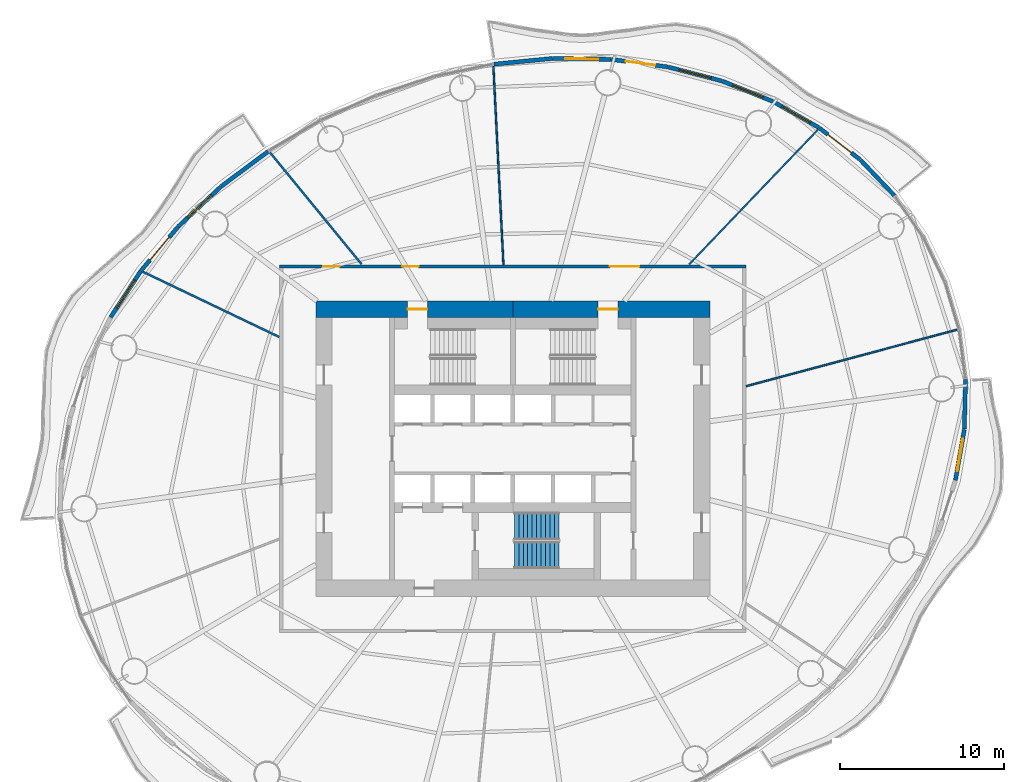
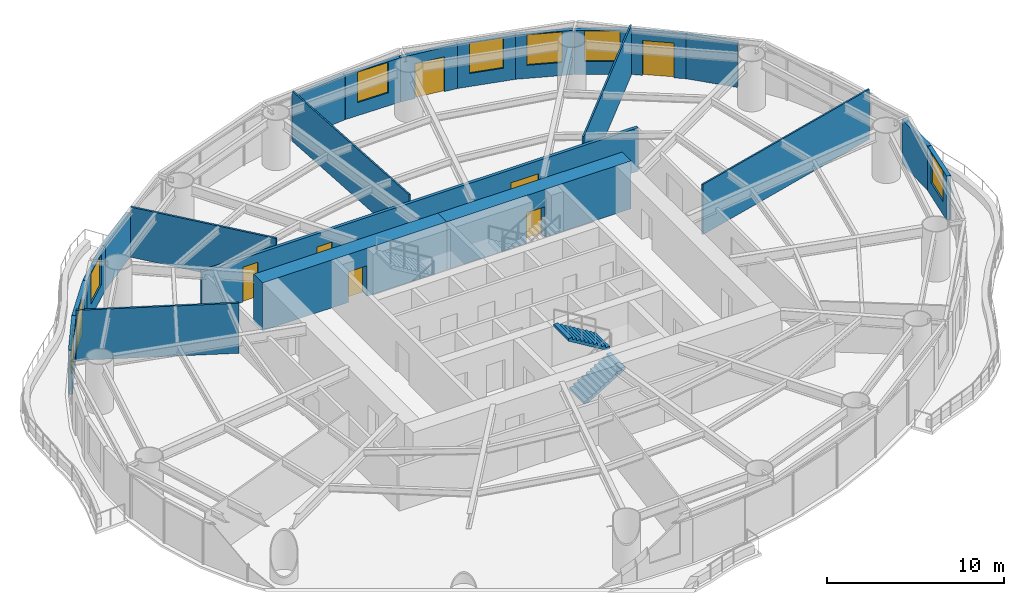
# One storey, part 10 of 14: 22 walls, 8 doors, 7 windows, 2 stair flights, 15 openings, 1 element without a shape of its own.
"""IFC4 building model written with IfcOpenShell, lengths in metres."""

from ifc_helpers import new_model, si_unit, direction, frame, frame_2d, origin, place, context, subcontext, project, spatial, polyline, rectangle, outline, extrude, material, layer, layer_set, type_object, element, fill, aggregate, save


model = new_model("IFC4")

# Units and contexts
model_context = context("Model", 3, precision=1e-05, world=origin(), true_north=direction((0.0, 1.0)))
body_context = subcontext(model_context, "Body", "Model", "MODEL_VIEW")
ifc_project = project(units=[si_unit("LENGTHUNIT", "METRE"), si_unit("AREAUNIT", "SQUARE_METRE"), si_unit("VOLUMEUNIT", "CUBIC_METRE"), si_unit("PLANEANGLEUNIT", "RADIAN"), si_unit("MASSUNIT", "GRAM", prefix="KILO")], contexts=[model_context])

# Site, building, storey
site_placement = place(None, origin())
site = spatial("IfcSite", under=ifc_project, at=site_placement, CompositionType="ELEMENT")
building_placement = place(site_placement, origin())
building = spatial("IfcBuilding", under=site, at=building_placement, Name="Vermilion Reach Broadcast Tower", CompositionType="ELEMENT")
storey_placement = place(building_placement, frame((0.0, 0.0, 117.39990234375)))
storey = spatial("IfcBuildingStorey", under=building, at=storey_placement, Name="L27", CompositionType="ELEMENT", Elevation=117.39990234375)

# Wall, opening, door
ifc_material_1 = material(Name="Concrete C70", Category="concrete")
ifc_layer_1 = layer(ifc_material_1, 1.0)
ifc_layer_set_1 = layer_set([ifc_layer_1], Name="Core outer wall 1000 mm Concrete C70")
wall_type_1 = type_object("IfcWallType", Name="Core outer wall 1000 mm Concrete C70", PredefinedType="SHEAR", material=ifc_layer_set_1)
wall_1_placement = place(storey_placement, frame((6.0, 8.5, 0.0), z_axis=(0.0, 0.0, 1.0), x_axis=(-1.0, 0.0, 0.0)))
wall_1 = element("IfcWall", 1, at=wall_1_placement, inside=storey, type_object=wall_type_1, Name="L27 core wall onE", PredefinedType="SHEAR", context=body_context, shape_type="SweptSolid", body=[
    extrude(rectangle(XDim=12.0, YDim=1.0, at=frame_2d((6.0, 0.0))), origin(), (0.0, 0.0, 1.0), 3.300048828125),
])
opening_1_placement = place(wall_1_placement, frame((5.60009765625, 0.0, 0.0)))
opening_1 = element("IfcOpeningElement", 2, at=opening_1_placement, cuts=wall_1, Name="Opening D01", PredefinedType="OPENING", context=body_context, shape_type="SweptSolid", body=[
    extrude(rectangle(XDim=1.199951171875, YDim=2.10009765625, at=frame_2d((0.60009765625, 1.050048828125))), frame((0.0, 0.510009765625, 0.0), z_axis=(0.0, -1.0, 0.0), x_axis=(1.0, 0.0, 0.0)), (0.0, 0.0, 1.0), 1.02001953125),
])
ifc_material_2 = material(Name="Painted steel fire door", Category="steel")
door_type_1 = type_object("IfcDoorType", Name="Stair door 1200 x 2100", OperationType="DOUBLE_DOOR_SINGLE_SWING", PredefinedType="NOTDEFINED", material=ifc_material_2)
door_1_placement = place(opening_1_placement, origin())
door_1 = element("IfcDoor", 3, at=door_1_placement, inside=storey, type_object=door_type_1, Name="L27 stair door ST2", OperationType="DOUBLE_DOOR_SINGLE_SWING", OverallHeight=2.10009765625, OverallWidth=1.199951171875, PredefinedType="NOTDEFINED", context=body_context, shape_type="SweptSolid", body=[
    extrude(rectangle(XDim=1.199951171875, YDim=2.10009765625, at=frame_2d((0.60009765625, 1.050048828125))), frame((0.0, 0.02490234375, 0.0), z_axis=(0.0, -1.0, 0.0), x_axis=(1.0, 0.0, 0.0)), (0.0, 0.0, 1.0), 0.050048828125),
])
fill(opening_1, door_1)

wall_2_placement = place(storey_placement, frame((-6.0, 8.5, 0.0), z_axis=(0.0, 0.0, 1.0), x_axis=(-1.0, 0.0, 0.0)))
wall_2 = element("IfcWall", 4, at=wall_2_placement, inside=storey, type_object=wall_type_1, Name="L27 core wall onW", PredefinedType="SHEAR", context=body_context, shape_type="SweptSolid", body=[
    extrude(rectangle(XDim=12.0, YDim=1.0, at=frame_2d((6.0, 0.0))), origin(), (0.0, 0.0, 1.0), 3.300048828125),
])
opening_2_placement = place(wall_2_placement, frame((5.199951171875, 0.0, 0.0)))
opening_2 = element("IfcOpeningElement", 5, at=opening_2_placement, cuts=wall_2, Name="Opening D01", PredefinedType="OPENING", context=body_context, shape_type="SweptSolid", body=[
    extrude(rectangle(XDim=1.199951171875, YDim=2.10009765625, at=frame_2d((0.60009765625, 1.050048828125))), frame((0.0, 0.510009765625, 0.0), z_axis=(0.0, -1.0, 0.0), x_axis=(1.0, 0.0, 0.0)), (0.0, 0.0, 1.0), 1.02001953125),
])
door_2_placement = place(opening_2_placement, origin())
door_2 = element("IfcDoor", 6, at=door_2_placement, inside=storey, type_object=door_type_1, Name="L27 stair door ST1", OperationType="DOUBLE_DOOR_SINGLE_SWING", OverallHeight=2.10009765625, OverallWidth=1.199951171875, PredefinedType="NOTDEFINED", context=body_context, shape_type="SweptSolid", body=[
    extrude(rectangle(XDim=1.199951171875, YDim=2.10009765625, at=frame_2d((0.60009765625, 1.050048828125))), frame((0.0, 0.02490234375, 0.0), z_axis=(0.0, -1.0, 0.0), x_axis=(1.0, 0.0, 0.0)), (0.0, 0.0, 1.0), 0.050048828125),
])
fill(opening_2, door_2)

# Walls
ifc_material_3 = material(Name="Plasterboard on steel stud", Category="steel")
ifc_layer_2 = layer(ifc_material_3, 0.10009765625)
ifc_layer_set_2 = layer_set([ifc_layer_2], Name="Partition 100 steel stud")
wall_type_2 = type_object("IfcWallType", Name="Partition 100 steel stud", PredefinedType="PARTITIONING", material=ifc_layer_set_2)
wall_3_placement = place(storey_placement, frame((12.59033203125, 19.443115234375, 0.0), z_axis=(0.0, 0.0, 1.0), x_axis=(-0.691074739184, -0.722783304222, 0.0)))
element("IfcWall", 7, at=wall_3_placement, inside=storey, type_object=wall_type_2, Name="Partition 27.01", PredefinedType="PARTITIONING", context=body_context, shape_type="SweptSolid", body=[
    extrude(rectangle(XDim=11.356689453125, YDim=0.10009765625, at=frame_2d((5.67822265625, 0.0))), origin(), (0.0, 0.0, 1.0), 3.4501953125),
])
wall_4_placement = place(storey_placement, frame((-7.18359375, 23.29345703125, 0.0), z_axis=(0.0, 0.0, 1.0), x_axis=(0.050758329283, -0.998710965199, 0.0)))
element("IfcWall", 8, at=wall_4_placement, inside=storey, type_object=wall_type_2, Name="Partition 27.02", PredefinedType="PARTITIONING", context=body_context, shape_type="SweptSolid", body=[
    extrude(rectangle(XDim=12.1064453125, YDim=0.10009765625, at=frame_2d((6.05322265625, 0.0))), origin(), (0.0, 0.0, 1.0), 3.4501953125),
])
wall_5_placement = place(storey_placement, frame((21.055419921875, 7.25341796875, 0.0), z_axis=(0.0, 0.0, 1.0), x_axis=(-0.965888777638, -0.258957272989, 0.0)))
element("IfcWall", 9, at=wall_5_placement, inside=storey, type_object=wall_type_2, Name="Partition 27.08", PredefinedType="PARTITIONING", context=body_context, shape_type="SweptSolid", body=[
    extrude(rectangle(XDim=13.296142578125, YDim=0.10009765625, at=frame_2d((6.64794921875, 0.0))), origin(), (0.0, 0.0, 1.0), 3.4501953125),
])
ifc_material_4 = material(Name="Fire-rated plasterboard on steel stud", Category="steel")
ifc_layer_3 = layer(ifc_material_4, 0.125)
ifc_layer_set_3 = layer_set([ifc_layer_3], Name="Partition 125 fire-rated stud")
wall_type_3 = type_object("IfcWallType", Name="Partition 125 fire-rated stud", PredefinedType="PARTITIONING", material=ifc_layer_set_3)
wall_6_placement = place(storey_placement, frame((-20.782470703125, 18.04052734375, 0.0), z_axis=(0.0, 0.0, 1.0), x_axis=(0.633801615076, -0.773495644931, 0.0)))
element("IfcWall", 10, at=wall_6_placement, inside=storey, type_object=wall_type_3, Name="Partition 27.03", PredefinedType="PARTITIONING", context=body_context, shape_type="SweptSolid", body=[
    extrude(rectangle(XDim=8.79248046875, YDim=0.125, at=frame_2d((4.396240234375, 0.0))), origin(), (0.0, 0.0, 1.0), 3.4501953125),
])
wall_7_placement = place(storey_placement, frame((-28.53173828125, 10.78369140625, 0.0), z_axis=(0.0, 0.0, 1.0), x_axis=(0.902015716064, -0.431703194306, 0.0)))
element("IfcWall", 11, at=wall_7_placement, inside=storey, type_object=wall_type_3, Name="Partition 27.04", PredefinedType="PARTITIONING", context=body_context, shape_type="SweptSolid", body=[
    extrude(rectangle(XDim=9.206787109375, YDim=0.125, at=frame_2d((4.603515625, 0.0))), origin(), (0.0, 0.0, 1.0), 3.4501953125),
])
ifc_material_5 = material(Name="Terracotta rainscreen cladding", Category="masonry")
ifc_layer_4 = layer(ifc_material_5, 0.25)
ifc_layer_set_4 = layer_set([ifc_layer_4], Name="Terracotta rainscreen wall 250")
wall_type_4 = type_object("IfcWallType", Name="Terracotta rainscreen wall 250", PredefinedType="SOLIDWALL", material=ifc_layer_set_4)
wall_8_placement = place(storey_placement, frame((17.243896484375, 15.416015625, 0.0), z_axis=(0.0, 0.0, 1.0), x_axis=(-0.689879279413, 0.723924429645, 0.0)))
element("IfcWall", 12, at=wall_8_placement, inside=storey, type_object=wall_type_4, Name="External wall L27 02", PredefinedType="SOLIDWALL", context=body_context, shape_type="SweptSolid", body=[
    extrude(rectangle(XDim=3.01904296875, YDim=0.25, at=frame_2d((1.509521484375, 0.0))), origin(), (0.0, 0.0, 1.0), 3.050048828125),
])

# Wall, opening, door
wall_9_placement = place(storey_placement, frame((15.141357421875, 17.619384765625, 0.0), z_axis=(0.0, 0.0, 1.0), x_axis=(-0.789746930571, 0.613432788213, 0.0)))
wall_9 = element("IfcWall", 13, at=wall_9_placement, inside=storey, type_object=wall_type_4, Name="External wall L27 03", PredefinedType="SOLIDWALL", context=body_context, shape_type="SweptSolid", body=[
    extrude(rectangle(XDim=3.12939453125, YDim=0.25, at=frame_2d((1.564697265625, 0.0))), origin(), (0.0, 0.0, 1.0), 3.050048828125),
])
opening_3_placement = place(wall_9_placement, frame((0.6650390625, 0.0, 0.0)))
opening_3 = element("IfcOpeningElement", 14, at=opening_3_placement, cuts=wall_9, Name="Opening D70", PredefinedType="OPENING", context=body_context, shape_type="SweptSolid", body=[
    extrude(rectangle(XDim=1.800048828125, YDim=2.39990234375, at=frame_2d((0.89990234375, 1.199951171875))), frame((0.0, 0.135009765625, 0.0), z_axis=(0.0, -1.0, 0.0), x_axis=(1.0, 0.0, 0.0)), (0.0, 0.0, 1.0), 0.27001953125),
])
ifc_material_6 = material(Name="Low-e laminated clear glass in aluminium frame", Category="aluminium")
door_type_2 = type_object("IfcDoorType", Name="Balcony sliding door 1800 x 2400", OperationType="DOUBLE_DOOR_SLIDING", PredefinedType="DOOR", material=ifc_material_6)
door_3_placement = place(opening_3_placement, origin())
door_3 = element("IfcDoor", 15, at=door_3_placement, inside=storey, type_object=door_type_2, Name="Balcony door L27 run 01", OperationType="DOUBLE_DOOR_SLIDING", OverallHeight=2.39990234375, OverallWidth=1.800048828125, PredefinedType="DOOR", context=body_context, shape_type="SweptSolid", body=[
    extrude(rectangle(XDim=1.800048828125, YDim=2.39990234375, at=frame_2d((0.89990234375, 1.199951171875))), frame((0.0, 0.02490234375, 0.0), z_axis=(0.0, -1.0, 0.0), x_axis=(1.0, 0.0, 0.0)), (0.0, 0.0, 1.0), 0.050048828125),
])
fill(opening_3, door_3)

# Wall, opening, window
wall_10_placement = place(storey_placement, frame((12.6484375, 19.553466796875, 0.0), z_axis=(0.0, 0.0, 1.0), x_axis=(-0.868747839234, 0.495254673705, 0.0)))
wall_10 = element("IfcWall", 16, at=wall_10_placement, inside=storey, type_object=wall_type_4, Name="External wall L27 04", PredefinedType="SOLIDWALL", context=body_context, shape_type="SweptSolid", body=[
    extrude(rectangle(XDim=3.212158203125, YDim=0.25, at=frame_2d((1.60595703125, 0.0))), origin(), (0.0, 0.0, 1.0), 3.050048828125),
])
opening_4_placement = place(wall_10_placement, frame((0.606201171875, 0.0, 0.89990234375)))
opening_4 = element("IfcOpeningElement", 17, at=opening_4_placement, cuts=wall_10, Name="Opening W03", PredefinedType="OPENING", context=body_context, shape_type="SweptSolid", body=[
    extrude(rectangle(XDim=2.0, YDim=2.10009765625, at=frame_2d((1.0, 1.050048828125))), frame((0.0, 0.135009765625, 0.0), z_axis=(0.0, -1.0, 0.0), x_axis=(1.0, 0.0, 0.0)), (0.0, 0.0, 1.0), 0.27001953125),
])
ifc_material_7 = material(Name="Low-e laminated clear glass in aluminium frame", Category="aluminium")
window_type = type_object("IfcWindowType", Name="Punched window 2000 x 2100 sill 900", PartitioningType="SINGLE_PANEL", PredefinedType="WINDOW", material=ifc_material_7)
window_1_placement = place(opening_4_placement, origin())
window_1 = element("IfcWindow", 18, at=window_1_placement, inside=storey, type_object=window_type, Name="Window L27 04", OverallHeight=2.10009765625, OverallWidth=2.0, PartitioningType="SINGLE_PANEL", PredefinedType="WINDOW", context=body_context, shape_type="SweptSolid", body=[
    extrude(rectangle(XDim=2.0, YDim=2.10009765625, at=frame_2d((1.0, 1.050048828125))), frame((0.0, 0.030029296875, 0.0), z_axis=(0.0, -1.0, 0.0), x_axis=(1.0, 0.0, 0.0)), (0.0, 0.0, 1.0), 0.06005859375),
])
fill(opening_4, window_1)

wall_11_placement = place(storey_placement, frame((9.83544921875, 21.155029296875, 0.0), z_axis=(0.0, 0.0, 1.0), x_axis=(-0.927581627116, 0.373620562919, 0.0)))
wall_11 = element("IfcWall", 19, at=wall_11_placement, inside=storey, type_object=wall_type_4, Name="External wall L27 05", PredefinedType="SOLIDWALL", context=body_context, shape_type="SweptSolid", body=[
    extrude(rectangle(XDim=3.3017578125, YDim=0.25, at=frame_2d((1.65087890625, 0.0))), origin(), (0.0, 0.0, 1.0), 3.050048828125),
])
opening_5_placement = place(wall_11_placement, frame((0.65087890625, 0.0, 0.89990234375)))
opening_5 = element("IfcOpeningElement", 20, at=opening_5_placement, cuts=wall_11, Name="Opening W03", PredefinedType="OPENING", context=body_context, shape_type="SweptSolid", body=[
    extrude(rectangle(XDim=2.0, YDim=2.10009765625, at=frame_2d((1.0, 1.050048828125))), frame((0.0, 0.135009765625, 0.0), z_axis=(0.0, -1.0, 0.0), x_axis=(1.0, 0.0, 0.0)), (0.0, 0.0, 1.0), 0.27001953125),
])
window_2_placement = place(opening_5_placement, origin())
window_2 = element("IfcWindow", 21, at=window_2_placement, inside=storey, type_object=window_type, Name="Window L27 05", OverallHeight=2.10009765625, OverallWidth=2.0, PartitioningType="SINGLE_PANEL", PredefinedType="WINDOW", context=body_context, shape_type="SweptSolid", body=[
    extrude(rectangle(XDim=2.0, YDim=2.10009765625, at=frame_2d((1.0, 1.050048828125))), frame((0.0, 0.030029296875, 0.0), z_axis=(0.0, -1.0, 0.0), x_axis=(1.0, 0.0, 0.0)), (0.0, 0.0, 1.0), 0.06005859375),
])
fill(opening_5, window_2)

wall_12_placement = place(storey_placement, frame((6.75, 22.396240234375, 0.0), z_axis=(0.0, 0.0, 1.0), x_axis=(-0.967791300319, 0.251753846101, 0.0)))
wall_12 = element("IfcWall", 22, at=wall_12_placement, inside=storey, type_object=wall_type_4, Name="External wall L27 06", PredefinedType="SOLIDWALL", context=body_context, shape_type="SweptSolid", body=[
    extrude(rectangle(XDim=3.392333984375, YDim=0.25, at=frame_2d((1.6962890625, 0.0))), origin(), (0.0, 0.0, 1.0), 3.050048828125),
])
opening_6_placement = place(wall_12_placement, frame((0.696044921875, 0.0, 0.89990234375)))
opening_6 = element("IfcOpeningElement", 23, at=opening_6_placement, cuts=wall_12, Name="Opening W03", PredefinedType="OPENING", context=body_context, shape_type="SweptSolid", body=[
    extrude(rectangle(XDim=2.0, YDim=2.10009765625, at=frame_2d((1.0, 1.050048828125))), frame((0.0, 0.135009765625, 0.0), z_axis=(0.0, -1.0, 0.0), x_axis=(1.0, 0.0, 0.0)), (0.0, 0.0, 1.0), 0.27001953125),
])
window_3_placement = place(opening_6_placement, origin())
window_3 = element("IfcWindow", 24, at=window_3_placement, inside=storey, type_object=window_type, Name="Window L27 06", OverallHeight=2.10009765625, OverallWidth=2.0, PartitioningType="SINGLE_PANEL", PredefinedType="WINDOW", context=body_context, shape_type="SweptSolid", body=[
    extrude(rectangle(XDim=2.0, YDim=2.10009765625, at=frame_2d((1.0, 1.050048828125))), frame((0.0, 0.030029296875, 0.0), z_axis=(0.0, -1.0, 0.0), x_axis=(1.0, 0.0, 0.0)), (0.0, 0.0, 1.0), 0.06005859375),
])
fill(opening_6, window_3)

# Wall, opening, door
wall_13_placement = place(storey_placement, frame((3.4443359375, 23.254638671875, 0.0), z_axis=(0.0, 0.0, 1.0), x_axis=(-0.991259146592, 0.131929163936, 0.0)))
wall_13 = element("IfcWall", 25, at=wall_13_placement, inside=storey, type_object=wall_type_4, Name="External wall L27 07", PredefinedType="SOLIDWALL", context=body_context, shape_type="SweptSolid", body=[
    extrude(rectangle(XDim=3.47705078125, YDim=0.25, at=frame_2d((1.738525390625, 0.0))), origin(), (0.0, 0.0, 1.0), 3.050048828125),
])
opening_7_placement = place(wall_13_placement, frame((0.7890625, 0.0, 0.0)))
opening_7 = element("IfcOpeningElement", 26, at=opening_7_placement, cuts=wall_13, Name="Opening D70", PredefinedType="OPENING", context=body_context, shape_type="SweptSolid", body=[
    extrude(rectangle(XDim=1.800048828125, YDim=2.39990234375, at=frame_2d((0.89990234375, 1.199951171875))), frame((0.0, 0.135009765625, 0.0), z_axis=(0.0, -1.0, 0.0), x_axis=(1.0, 0.0, 0.0)), (0.0, 0.0, 1.0), 0.27001953125),
])
door_4_placement = place(opening_7_placement, origin())
door_4 = element("IfcDoor", 27, at=door_4_placement, inside=storey, type_object=door_type_2, Name="Balcony door L27 run 02", OperationType="DOUBLE_DOOR_SLIDING", OverallHeight=2.39990234375, OverallWidth=1.800048828125, PredefinedType="DOOR", context=body_context, shape_type="SweptSolid", body=[
    extrude(rectangle(XDim=1.800048828125, YDim=2.39990234375, at=frame_2d((0.89990234375, 1.199951171875))), frame((0.0, 0.02490234375, 0.0), z_axis=(0.0, -1.0, 0.0), x_axis=(1.0, 0.0, 0.0)), (0.0, 0.0, 1.0), 0.050048828125),
])
fill(opening_7, door_4)

# Wall, opening, window
wall_14_placement = place(storey_placement, frame((-0.02490234375, 23.715087890625, 0.0), z_axis=(0.0, 0.0, 1.0), x_axis=(-0.999881433679, 0.015398655287, 0.0)))
wall_14 = element("IfcWall", 28, at=wall_14_placement, inside=storey, type_object=wall_type_4, Name="External wall L27 08", PredefinedType="SOLIDWALL", context=body_context, shape_type="SweptSolid", body=[
    extrude(rectangle(XDim=3.551513671875, YDim=0.25, at=frame_2d((1.77587890625, 0.0))), origin(), (0.0, 0.0, 1.0), 3.050048828125),
])
opening_8_placement = place(wall_14_placement, frame((0.775634765625, 0.0, 0.89990234375)))
opening_8 = element("IfcOpeningElement", 29, at=opening_8_placement, cuts=wall_14, Name="Opening W03", PredefinedType="OPENING", context=body_context, shape_type="SweptSolid", body=[
    extrude(rectangle(XDim=2.0, YDim=2.10009765625, at=frame_2d((1.0, 1.050048828125))), frame((0.0, 0.135009765625, 0.0), z_axis=(0.0, -1.0, 0.0), x_axis=(1.0, 0.0, 0.0)), (0.0, 0.0, 1.0), 0.27001953125),
])
window_4_placement = place(opening_8_placement, origin())
window_4 = element("IfcWindow", 30, at=window_4_placement, inside=storey, type_object=window_type, Name="Window L27 08", OverallHeight=2.10009765625, OverallWidth=2.0, PartitioningType="SINGLE_PANEL", PredefinedType="WINDOW", context=body_context, shape_type="SweptSolid", body=[
    extrude(rectangle(XDim=2.0, YDim=2.10009765625, at=frame_2d((1.0, 1.050048828125))), frame((0.0, 0.030029296875, 0.0), z_axis=(0.0, -1.0, 0.0), x_axis=(1.0, 0.0, 0.0)), (0.0, 0.0, 1.0), 0.06005859375),
])
fill(opening_8, window_4)

# Walls
for number, where, z_axis, x_axis, name in (
    (31, (-3.597900390625, 23.768798828125, 0.0), (0.0, 0.0, 1.0), (-0.995271567876, -0.097131386163, 0.0), "External wall L27 09"),
    (32, (-20.895751953125, 18.112060546875, 0.0), (0.0, 0.0, 1.0), (-0.802114267062, -0.597170580803, 0.0), "External wall L27 14"),
):
    element("IfcWall", number, at=place(storey_placement, frame(where, z_axis=z_axis, x_axis=x_axis)), inside=storey, type_object=wall_type_4, Name=name, PredefinedType="SOLIDWALL", context=body_context, shape_type="SweptSolid", body=[
        extrude(rectangle(XDim=3.566650390625, YDim=0.25, at=frame_2d((1.783203125, 0.0))), origin(), (0.0, 0.0, 1.0), 3.050048828125),
    ])

# Wall, opening, window
wall_15_placement = place(storey_placement, frame((-23.773681640625, 15.968017578125, 0.0), z_axis=(0.0, 0.0, 1.0), x_axis=(-0.729895135737, -0.683559134843, 0.0)))
wall_15 = element("IfcWall", 33, at=wall_15_placement, inside=storey, type_object=wall_type_4, Name="External wall L27 15", PredefinedType="SOLIDWALL", context=body_context, shape_type="SweptSolid", body=[
    extrude(rectangle(XDim=3.55126953125, YDim=0.25, at=frame_2d((1.775634765625, 0.0))), origin(), (0.0, 0.0, 1.0), 3.050048828125),
])
opening_9_placement = place(wall_15_placement, frame((0.775634765625, 0.0, 0.89990234375)))
opening_9 = element("IfcOpeningElement", 34, at=opening_9_placement, cuts=wall_15, Name="Opening W03", PredefinedType="OPENING", context=body_context, shape_type="SweptSolid", body=[
    extrude(rectangle(XDim=2.0, YDim=2.10009765625, at=frame_2d((1.0, 1.050048828125))), frame((0.0, 0.135009765625, 0.0), z_axis=(0.0, -1.0, 0.0), x_axis=(1.0, 0.0, 0.0)), (0.0, 0.0, 1.0), 0.27001953125),
])
window_5_placement = place(opening_9_placement, origin())
window_5 = element("IfcWindow", 35, at=window_5_placement, inside=storey, type_object=window_type, Name="Window L27 15", OverallHeight=2.10009765625, OverallWidth=2.0, PartitioningType="SINGLE_PANEL", PredefinedType="WINDOW", context=body_context, shape_type="SweptSolid", body=[
    extrude(rectangle(XDim=2.0, YDim=2.10009765625, at=frame_2d((1.0, 1.050048828125))), frame((0.0, 0.030029296875, 0.0), z_axis=(0.0, -1.0, 0.0), x_axis=(1.0, 0.0, 0.0)), (0.0, 0.0, 1.0), 0.06005859375),
])
fill(opening_9, window_5)

# Wall, opening, door
wall_16_placement = place(storey_placement, frame((-26.38134765625, 13.52392578125, 0.0), z_axis=(0.0, 0.0, 1.0), x_axis=(-0.645164421971, -0.764043760934, 0.0)))
wall_16 = element("IfcWall", 36, at=wall_16_placement, inside=storey, type_object=wall_type_4, Name="External wall L27 16", PredefinedType="SOLIDWALL", context=body_context, shape_type="SweptSolid", body=[
    extrude(rectangle(XDim=3.476806640625, YDim=0.25, at=frame_2d((1.73828125, 0.0))), origin(), (0.0, 0.0, 1.0), 3.050048828125),
])
opening_10_placement = place(wall_16_placement, frame((0.839111328125, 0.0, 0.0)))
opening_10 = element("IfcOpeningElement", 37, at=opening_10_placement, cuts=wall_16, Name="Opening D70", PredefinedType="OPENING", context=body_context, shape_type="SweptSolid", body=[
    extrude(rectangle(XDim=1.800048828125, YDim=2.39990234375, at=frame_2d((0.89990234375, 1.199951171875))), frame((0.0, 0.135009765625, 0.0), z_axis=(0.0, -1.0, 0.0), x_axis=(1.0, 0.0, 0.0)), (0.0, 0.0, 1.0), 0.27001953125),
])
door_5_placement = place(opening_10_placement, origin())
door_5 = element("IfcDoor", 38, at=door_5_placement, inside=storey, type_object=door_type_2, Name="Balcony door L27 run 04", OperationType="DOUBLE_DOOR_SLIDING", OverallHeight=2.39990234375, OverallWidth=1.800048828125, PredefinedType="DOOR", context=body_context, shape_type="SweptSolid", body=[
    extrude(rectangle(XDim=1.800048828125, YDim=2.39990234375, at=frame_2d((0.89990234375, 1.199951171875))), frame((0.0, 0.02490234375, 0.0), z_axis=(0.0, -1.0, 0.0), x_axis=(1.0, 0.0, 0.0)), (0.0, 0.0, 1.0), 0.050048828125),
])
fill(opening_10, door_5)

# Wall, opening, window
wall_17_placement = place(storey_placement, frame((-28.638427734375, 10.848876953125, 0.0), z_axis=(0.0, 0.0, 1.0), x_axis=(-0.547270693195, -0.836955666908, 0.0)))
wall_17 = element("IfcWall", 39, at=wall_17_placement, inside=storey, type_object=wall_type_4, Name="External wall L27 17", PredefinedType="SOLIDWALL", context=body_context, shape_type="SweptSolid", body=[
    extrude(rectangle(XDim=3.39208984375, YDim=0.25, at=frame_2d((1.696044921875, 0.0))), origin(), (0.0, 0.0, 1.0), 3.050048828125),
])
opening_11_placement = place(wall_17_placement, frame((0.696044921875, 0.0, 0.89990234375)))
opening_11 = element("IfcOpeningElement", 40, at=opening_11_placement, cuts=wall_17, Name="Opening W03", PredefinedType="OPENING", context=body_context, shape_type="SweptSolid", body=[
    extrude(rectangle(XDim=2.0, YDim=2.10009765625, at=frame_2d((1.0, 1.050048828125))), frame((0.0, 0.135009765625, 0.0), z_axis=(0.0, -1.0, 0.0), x_axis=(1.0, 0.0, 0.0)), (0.0, 0.0, 1.0), 0.27001953125),
])
window_6_placement = place(opening_11_placement, origin())
window_6 = element("IfcWindow", 41, at=window_6_placement, inside=storey, type_object=window_type, Name="Window L27 17", OverallHeight=2.10009765625, OverallWidth=2.0, PartitioningType="SINGLE_PANEL", PredefinedType="WINDOW", context=body_context, shape_type="SweptSolid", body=[
    extrude(rectangle(XDim=2.0, YDim=2.10009765625, at=frame_2d((1.0, 1.050048828125))), frame((0.0, 0.030029296875, 0.0), z_axis=(0.0, -1.0, 0.0), x_axis=(1.0, 0.0, 0.0)), (0.0, 0.0, 1.0), 0.06005859375),
])
fill(opening_11, window_6)

wall_18_placement = place(storey_placement, frame((20.95703125, -1.914794921875, 0.0), z_axis=(0.0, 0.0, 1.0), x_axis=(0.172262996508, 0.985050993621, 0.0)))
wall_18 = element("IfcWall", 42, at=wall_18_placement, inside=storey, type_object=wall_type_4, Name="External wall L27 44", PredefinedType="SOLIDWALL", context=body_context, shape_type="SweptSolid", body=[
    extrude(rectangle(XDim=3.12939453125, YDim=0.25, at=frame_2d((1.564697265625, 0.0))), origin(), (0.0, 0.0, 1.0), 3.050048828125),
])
opening_12_placement = place(wall_18_placement, frame((0.564697265625, 0.0, 0.89990234375)))
opening_12 = element("IfcOpeningElement", 43, at=opening_12_placement, cuts=wall_18, Name="Opening W03", PredefinedType="OPENING", context=body_context, shape_type="SweptSolid", body=[
    extrude(rectangle(XDim=2.0, YDim=2.10009765625, at=frame_2d((1.0, 1.050048828125))), frame((0.0, 0.135009765625, 0.0), z_axis=(0.0, -1.0, 0.0), x_axis=(1.0, 0.0, 0.0)), (0.0, 0.0, 1.0), 0.27001953125),
])
window_7_placement = place(opening_12_placement, origin())
window_7 = element("IfcWindow", 44, at=window_7_placement, inside=storey, type_object=window_type, Name="Window L27 44", OverallHeight=2.10009765625, OverallWidth=2.0, PartitioningType="SINGLE_PANEL", PredefinedType="WINDOW", context=body_context, shape_type="SweptSolid", body=[
    extrude(rectangle(XDim=2.0, YDim=2.10009765625, at=frame_2d((1.0, 1.050048828125))), frame((0.0, 0.030029296875, 0.0), z_axis=(0.0, -1.0, 0.0), x_axis=(1.0, 0.0, 0.0)), (0.0, 0.0, 1.0), 0.06005859375),
])
fill(opening_12, window_7)

# Wall
wall_19_placement = place(storey_placement, frame((21.498779296875, 1.1943359375, 0.0), z_axis=(0.0, 0.0, 1.0), x_axis=(0.024099130641, 0.999709573777, 0.0)))
element("IfcWall", 45, at=wall_19_placement, inside=storey, type_object=wall_type_4, Name="External wall L27 45", PredefinedType="SOLIDWALL", context=body_context, shape_type="SweptSolid", body=[
    extrude(rectangle(XDim=3.01904296875, YDim=0.25, at=frame_2d((1.509521484375, 0.0))), origin(), (0.0, 0.0, 1.0), 3.050048828125),
])

# Wall, openings, doors
ifc_material_8 = material(Name="Fire-rated gypsum board partition")
ifc_layer_5 = layer(ifc_material_8, 0.199951171875)
ifc_layer_set_5 = layer_set([ifc_layer_5], Name="Under girder: Corridor wall 200 fire-rated")
wall_type_5 = type_object("IfcWallType", Name="Under girder: Corridor wall 200 fire-rated", PredefinedType="PARTITIONING", material=ifc_layer_set_5)
wall_20_placement = place(storey_placement, frame((-20.199951171875, 11.10009765625, 0.0), z_axis=(0.0, 0.0, 1.0), x_axis=(1.0, 0.0, 0.0)))
wall_20 = element("IfcWall", 46, at=wall_20_placement, inside=storey, type_object=wall_type_5, Name="Corridor wall 27.N", PredefinedType="PARTITIONING", context=body_context, shape_type="SweptSolid", body=[
    extrude(rectangle(XDim=28.39990234375, YDim=0.199951171875, at=frame_2d((14.199951171875, 0.0))), origin(), (0.0, 0.0, 1.0), 3.0),
])
opening_13_placement = place(wall_20_placement, frame((20.10546875, 0.0, 0.0)))
opening_13 = element("IfcOpeningElement", 47, at=opening_13_placement, cuts=wall_20, Name="Opening D21", PredefinedType="OPENING", context=body_context, shape_type="SweptSolid", body=[
    extrude(rectangle(XDim=1.800048828125, YDim=2.10009765625, at=frame_2d((0.89990234375, 1.050048828125))), frame((0.0, 0.10986328125, 0.0), z_axis=(0.0, -1.0, 0.0), x_axis=(1.0, 0.0, 0.0)), (0.0, 0.0, 1.0), 0.219970703125),
])
opening_14_placement = place(wall_20_placement, frame((7.47021484375, 0.0, 0.0)))
opening_14 = element("IfcOpeningElement", 48, at=opening_14_placement, cuts=wall_20, Name="Opening D20", PredefinedType="OPENING", context=body_context, shape_type="SweptSolid", body=[
    extrude(rectangle(XDim=1.0, YDim=2.10009765625, at=frame_2d((0.5, 1.050048828125))), frame((0.0, 0.10986328125, 0.0), z_axis=(0.0, -1.0, 0.0), x_axis=(1.0, 0.0, 0.0)), (0.0, 0.0, 1.0), 0.219970703125),
])
opening_15_placement = place(wall_20_placement, frame((2.65087890625, 0.0, 0.0)))
opening_15 = element("IfcOpeningElement", 49, at=opening_15_placement, cuts=wall_20, Name="Opening D23", PredefinedType="OPENING", context=body_context, shape_type="SweptSolid", body=[
    extrude(rectangle(XDim=1.0, YDim=2.39990234375, at=frame_2d((0.5, 1.199951171875))), frame((0.0, 0.10986328125, 0.0), z_axis=(0.0, -1.0, 0.0), x_axis=(1.0, 0.0, 0.0)), (0.0, 0.0, 1.0), 0.219970703125),
])
ifc_material_9 = material(Name="Timber door leaf", Category="wood")
door_type_3 = type_object("IfcDoorType", Name="Door pair 1800x2100", OperationType="NOTDEFINED", PredefinedType="DOOR", material=ifc_material_9)
door_6_placement = place(opening_13_placement, origin())
door_6 = element("IfcDoor", 50, at=door_6_placement, inside=storey, type_object=door_type_3, Name="Door 27.01", OperationType="DOUBLE_DOOR_SINGLE_SWING", OverallHeight=2.10009765625, OverallWidth=1.800048828125, PredefinedType="DOOR", context=body_context, shape_type="SweptSolid", body=[
    extrude(rectangle(XDim=1.800048828125, YDim=2.10009765625, at=frame_2d((0.89990234375, 1.050048828125))), frame((0.0, 0.02490234375, 0.0), z_axis=(0.0, -1.0, 0.0), x_axis=(1.0, 0.0, 0.0)), (0.0, 0.0, 1.0), 0.050048828125),
])
fill(opening_13, door_6)
ifc_material_10 = material(Name="Timber door leaf", Category="wood")
door_type_4 = type_object("IfcDoorType", Name="Door single 1000x2100", OperationType="NOTDEFINED", PredefinedType="DOOR", material=ifc_material_10)
door_7_placement = place(opening_14_placement, origin())
door_7 = element("IfcDoor", 51, at=door_7_placement, inside=storey, type_object=door_type_4, Name="Door 27.02", OperationType="SINGLE_SWING_LEFT", OverallHeight=2.10009765625, OverallWidth=1.0, PredefinedType="DOOR", context=body_context, shape_type="SweptSolid", body=[
    extrude(rectangle(XDim=1.0, YDim=2.10009765625, at=frame_2d((0.5, 1.050048828125))), frame((0.0, 0.02490234375, 0.0), z_axis=(0.0, -1.0, 0.0), x_axis=(1.0, 0.0, 0.0)), (0.0, 0.0, 1.0), 0.050048828125),
])
fill(opening_14, door_7)
ifc_material_11 = material(Name="Veneered timber door leaf", Category="wood")
door_type_5 = type_object("IfcDoorType", Name="Door single 1000x2400", OperationType="NOTDEFINED", PredefinedType="DOOR", material=ifc_material_11)
door_8_placement = place(opening_15_placement, origin())
door_8 = element("IfcDoor", 52, at=door_8_placement, inside=storey, type_object=door_type_5, Name="Door 27.03", OperationType="SINGLE_SWING_RIGHT", OverallHeight=2.39990234375, OverallWidth=1.0, PredefinedType="DOOR", context=body_context, shape_type="SweptSolid", body=[
    extrude(rectangle(XDim=1.0, YDim=2.39990234375, at=frame_2d((0.5, 1.199951171875))), frame((0.0, 0.02490234375, 0.0), z_axis=(0.0, -1.0, 0.0), x_axis=(1.0, 0.0, 0.0)), (0.0, 0.0, 1.0), 0.050048828125),
])
fill(opening_15, door_8)

# Stair, stair flights
ifc_material_12 = material(Name="Concrete C40", Category="concrete")
stair_type = type_object("IfcStairType", Name="Exit stair RC 22 risers 164 mm", PredefinedType="HALF_TURN_STAIR", material=ifc_material_12)
stair_placement = place(storey_placement, origin())
stair = element("IfcStair", 53, at=stair_placement, inside=storey, type_object=stair_type, Name="L27 Exit stair ST3", PredefinedType="HALF_TURN_STAIR")
ifc_material_13 = material(Name="Concrete C40", Category="concrete")
stair_flight_type = type_object("IfcStairFlightType", Name="Exit stair flight RC 11 risers", PredefinedType="STRAIGHT", material=ifc_material_13)
stair_flight_1_placement = place(storey_placement, frame((-5.89990234375, -6.469970703125, 0.0), z_axis=(0.0, 0.0, 1.0), x_axis=(1.0, 0.0, 0.0)))
stair_flight_1 = element("IfcStairFlight", 54, at=stair_flight_1_placement, type_object=stair_flight_type, Name="ST3 flight 1", NumberOfRisers=11, NumberOfTreads=10, PredefinedType="STRAIGHT", RiserHeight=0.163636364, TreadLength=0.27, context=body_context, shape_type="SweptSolid", body=[
    extrude(outline(polyline([(0.0, 0.0), (0.0, 0.16357421875), (0.27001953125, 0.16357421875), (0.27001953125, 0.327392578125), (0.5400390625, 0.327392578125), (0.5400390625, 0.490966796875), (0.81005859375, 0.490966796875), (0.81005859375, 0.654541015625), (1.080078125, 0.654541015625), (1.080078125, 0.818115234375), (1.35009765625, 0.818115234375), (1.35009765625, 0.98193359375), (1.6201171875, 0.98193359375), (1.6201171875, 1.1455078125), (1.889892578125, 1.1455078125), (1.889892578125, 1.30908203125), (2.159912109375, 1.30908203125), (2.159912109375, 1.47265625), (2.429931640625, 1.47265625), (2.429931640625, 1.636474609375), (2.699951171875, 1.636474609375), (2.699951171875, 1.800048828125), (2.699951171875, 1.461181640625), (0.289306640625, 0.0), (0.0, 0.0)])), frame((0.0, 0.830078125, 0.0), z_axis=(0.0, -1.0, 0.0), x_axis=(1.0, 0.0, 0.0)), (0.0, 0.0, 1.0), 1.659912109375),
])
stair_flight_2_placement = place(storey_placement, frame((-3.199951171875, -4.7099609375, 1.800048828125), z_axis=(0.0, 0.0, 1.0), x_axis=(-1.0, 0.0, 0.0)))
stair_flight_2 = element("IfcStairFlight", 55, at=stair_flight_2_placement, type_object=stair_flight_type, Name="ST3 flight 2", NumberOfRisers=11, NumberOfTreads=10, PredefinedType="STRAIGHT", RiserHeight=0.163636364, TreadLength=0.27, context=body_context, shape_type="SweptSolid", body=[
    extrude(outline(polyline([(0.0, 0.0), (0.0, 0.16357421875), (0.27001953125, 0.16357421875), (0.27001953125, 0.327392578125), (0.5400390625, 0.327392578125), (0.5400390625, 0.490966796875), (0.81005859375, 0.490966796875), (0.81005859375, 0.654541015625), (1.080078125, 0.654541015625), (1.080078125, 0.818115234375), (1.35009765625, 0.818115234375), (1.35009765625, 0.98193359375), (1.6201171875, 0.98193359375), (1.6201171875, 1.1455078125), (1.889892578125, 1.1455078125), (1.889892578125, 1.30908203125), (2.159912109375, 1.30908203125), (2.159912109375, 1.47265625), (2.429931640625, 1.47265625), (2.429931640625, 1.636474609375), (2.699951171875, 1.636474609375), (2.699951171875, 1.800048828125), (2.699951171875, 1.461181640625), (0.289306640625, 0.0), (0.0, 0.0)])), frame((0.0, 0.830078125, 0.0), z_axis=(0.0, -1.0, 0.0), x_axis=(1.0, 0.0, 0.0)), (0.0, 0.0, 1.0), 1.659912109375),
])
aggregate(stair, [stair_flight_1, stair_flight_2])

save(model, "model.ifc")
